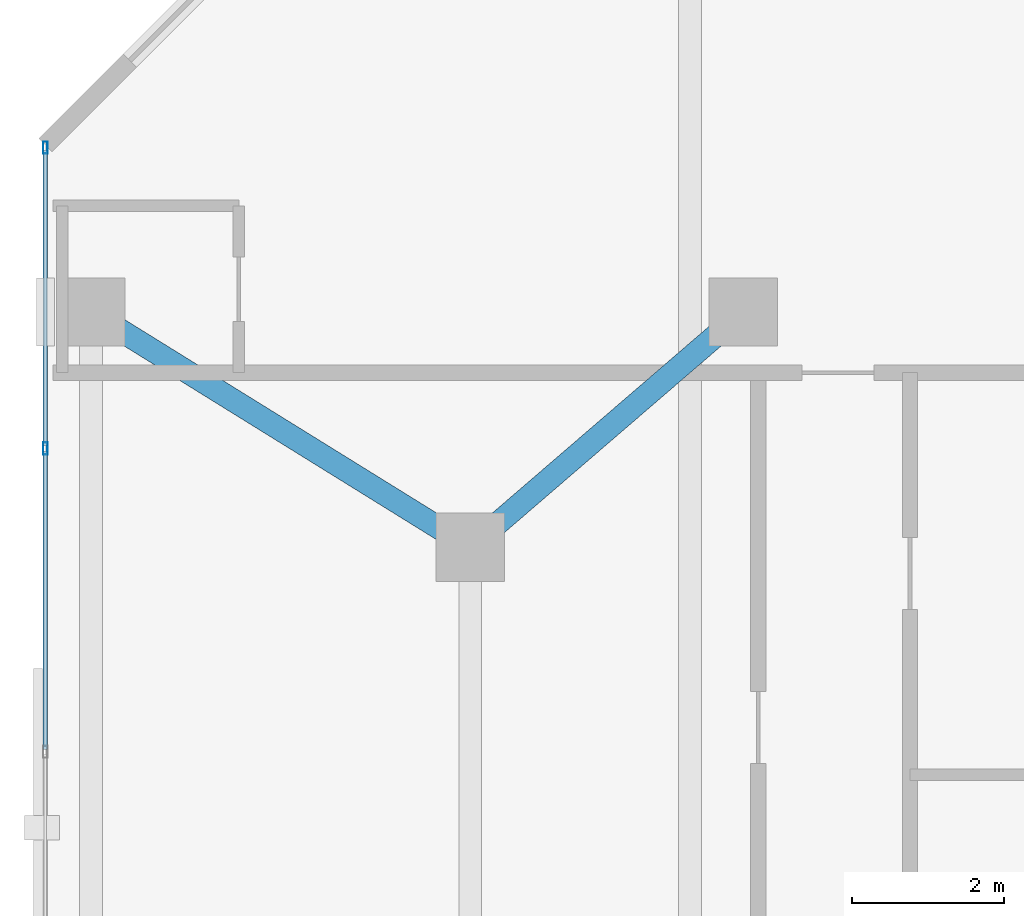
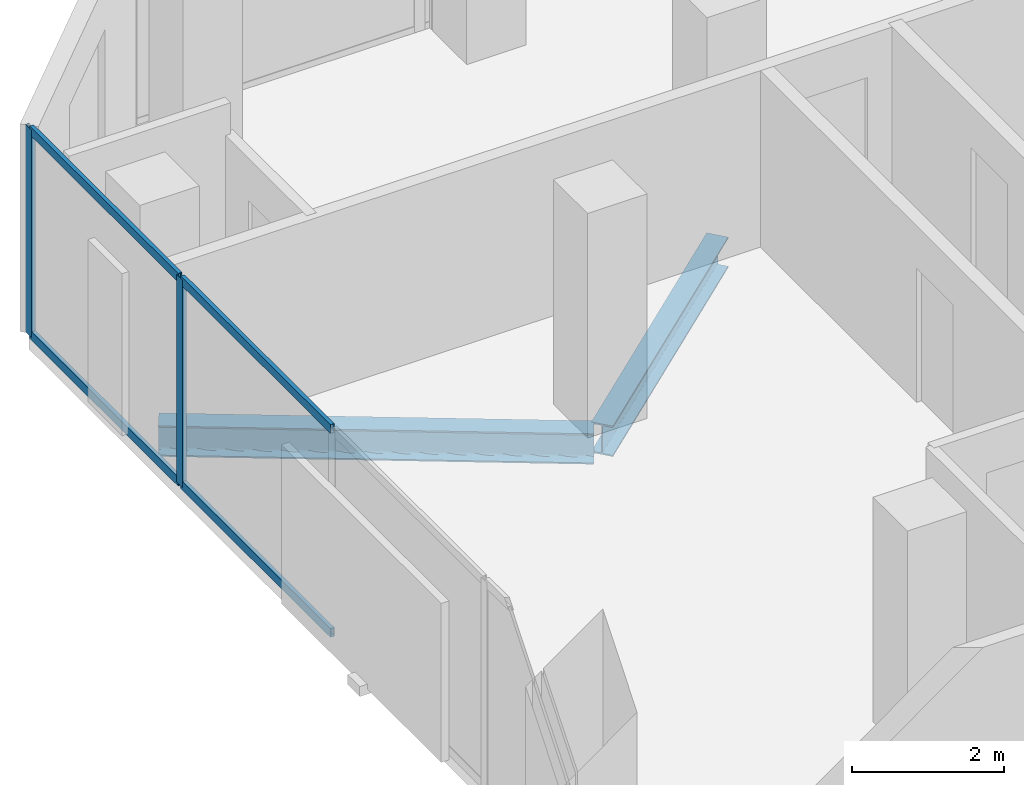
# One storey, part 17 of 35: 6 members, 2 beams, 1 element without a shape of its own.
"""IFC4 building model written with IfcOpenShell, lengths in metres."""

from ifc_helpers import new_model, si_unit, direction, frame, origin, origin_2d, place, context, subcontext, project, spatial, hollow_rectangle, i_section, extrude, material, layer, layer_set, material_profile, profile_set, type_object, element, aggregate, save


model = new_model("IFC4")

# Units and contexts
model_context = context("Model", 3, precision=1e-05, world=origin(), true_north=direction((0.0, 1.0)))
body_context = subcontext(model_context, "Body", "Model", "MODEL_VIEW")
ifc_project = project(units=[si_unit("LENGTHUNIT", "METRE"), si_unit("AREAUNIT", "SQUARE_METRE"), si_unit("VOLUMEUNIT", "CUBIC_METRE"), si_unit("PLANEANGLEUNIT", "RADIAN"), si_unit("MASSUNIT", "GRAM", prefix="KILO")], contexts=[model_context])

# Site, building, storey
site_placement = place(None, origin())
site = spatial("IfcSite", under=ifc_project, at=site_placement, CompositionType="ELEMENT")
building_placement = place(site_placement, origin())
building = spatial("IfcBuilding", under=site, at=building_placement, Name="Catumbela Crestline Tower", CompositionType="ELEMENT")
storey_placement = place(building_placement, frame((0.0, 0.0, 90.0)))
storey = spatial("IfcBuildingStorey", under=building, at=storey_placement, Name="L22", CompositionType="ELEMENT", Elevation=90.0)

# Beams
ifc_material_1 = material(Name="Structural steel S355J2", Category="steel")
ifc_material_profile_1 = material_profile(ifc_material_1, i_section(OverallWidth=0.3, OverallDepth=0.49, WebThickness=0.012, FlangeThickness=0.023, FilletRadius=0.027, at=origin_2d()), Name="HEA 500")
ifc_profile_set_1 = profile_set([ifc_material_profile_1], Name="Structural steel S355J2")
beam_type = type_object("IfcBeamType", Name="BG-HEA500", PredefinedType="BEAM", material=ifc_profile_set_1)
beam_1_placement = place(storey_placement, frame((0.668, 42.2578, -0.505), z_axis=(0.849908952007, -0.526929571479, 0.0), x_axis=(0.526929571479, 0.849908952007, 0.0)))
element("IfcBeam", 1, at=beam_1_placement, inside=storey, type_object=beam_type, Name="L22 Beam BM-L22-N12", PredefinedType="BEAM", context=body_context, shape_type="SweptSolid", body=[
    extrude(i_section(OverallWidth=0.3, OverallDepth=0.49, WebThickness=0.012, FlangeThickness=0.023, FilletRadius=0.027, at=origin_2d()), origin(), (0.0, 0.0, 1.0), 5.723),
])
beam_2_placement = place(storey_placement, frame((5.6606, 39.2522, -0.505), z_axis=(0.757772392559, 0.652518966066, 0.0), x_axis=(-0.652518966066, 0.757772392559, 0.0)))
element("IfcBeam", 2, at=beam_2_placement, inside=storey, type_object=beam_type, Name="L22 Beam BM-L22-N13", PredefinedType="BEAM", context=body_context, shape_type="SweptSolid", body=[
    extrude(i_section(OverallWidth=0.3, OverallDepth=0.49, WebThickness=0.012, FlangeThickness=0.023, FilletRadius=0.027, at=origin_2d()), origin(), (0.0, 0.0, 1.0), 4.5908),
])

# Curtain wall, members
ifc_material_2 = material(Name="Aluminium alloy AW-6060-T66", Category="aluminium")
ifc_layer = layer(ifc_material_2, 0.18, Name="Aluminium alloy AW-6060-T66")
ifc_layer_set = layer_set([ifc_layer], Name="Aluminium alloy AW-6060-T66")
curtain_wall_type = type_object("IfcCurtainWallType", Name="CWU-Z2", PredefinedType="USERDEFINED", material=ifc_layer_set)
curtain_wall_placement = place(storey_placement, origin())
curtain_wall = element("IfcCurtainWall", 3, at=curtain_wall_placement, inside=storey, type_object=curtain_wall_type, Name="L22 Unitised Curtain Wall CW-L22-E9S1", ObjectType="UNITISED", PredefinedType="USERDEFINED")
ifc_material_profile_2 = material_profile(ifc_material_2, hollow_rectangle(XDim=0.06, YDim=0.16, WallThickness=0.004, at=origin_2d()), Name="ALU 160x60x4")
ifc_profile_set_2 = profile_set([ifc_material_profile_2], Name="Aluminium alloy AW-6060-T66")
member_type_1 = type_object("IfcMemberType", Name="MUL-160X60", PredefinedType="MULLION", material=ifc_profile_set_2)
member_1_placement = place(storey_placement, frame((0.0, 44.4675, 0.0), z_axis=(0.0, 0.0, 1.0), x_axis=(1.0, 0.0, 0.0)))
member_1 = element("IfcMember", 4, at=member_1_placement, type_object=member_type_1, Name="CWU-Z2 mullion 1", PredefinedType="MULLION", context=body_context, shape_type="SweptSolid", body=[
    extrude(hollow_rectangle(XDim=0.06, YDim=0.16, WallThickness=0.004, at=origin_2d()), origin(), (0.0, 0.0, 1.0), 3.33),
])
member_2_placement = place(storey_placement, frame((0.0, 40.5, 0.0), z_axis=(0.0, 0.0, 1.0), x_axis=(1.0, 0.0, 0.0)))
member_2 = element("IfcMember", 5, at=member_2_placement, type_object=member_type_1, Name="CWU-Z2 mullion 2", PredefinedType="MULLION", context=body_context, shape_type="SweptSolid", body=[
    extrude(hollow_rectangle(XDim=0.06, YDim=0.16, WallThickness=0.004, at=origin_2d()), origin(), (0.0, 0.0, 1.0), 3.33),
])
ifc_material_profile_3 = material_profile(ifc_material_2, hollow_rectangle(XDim=0.06, YDim=0.14, WallThickness=0.004, at=origin_2d()), Name="ALU 140x60x4")
ifc_profile_set_3 = profile_set([ifc_material_profile_3], Name="Aluminium alloy AW-6060-T66")
member_type_2 = type_object("IfcMemberType", Name="TRN-140X60", PredefinedType="USERDEFINED", material=ifc_profile_set_3)
member_3_placement = place(storey_placement, frame((0.0, 44.435, 0.03), z_axis=(0.0, -1.0, 0.0), x_axis=(1.0, 0.0, 0.0)))
member_3 = element("IfcMember", 6, at=member_3_placement, type_object=member_type_2, Name="CWU-Z2 transom 1.1", ObjectType="TRANSOM", PredefinedType="USERDEFINED", context=body_context, shape_type="SweptSolid", body=[
    extrude(hollow_rectangle(XDim=0.06, YDim=0.14, WallThickness=0.004, at=origin_2d()), origin(), (0.0, 0.0, 1.0), 3.9025),
])
member_4_placement = place(storey_placement, frame((0.0, 44.435, 3.3), z_axis=(0.0, -1.0, 0.0), x_axis=(1.0, 0.0, 0.0)))
member_4 = element("IfcMember", 7, at=member_4_placement, type_object=member_type_2, Name="CWU-Z2 transom 1.2", ObjectType="TRANSOM", PredefinedType="USERDEFINED", context=body_context, shape_type="SweptSolid", body=[
    extrude(hollow_rectangle(XDim=0.06, YDim=0.14, WallThickness=0.004, at=origin_2d()), origin(), (0.0, 0.0, 1.0), 3.9025),
])
member_5_placement = place(storey_placement, frame((0.0, 40.4675, 0.03), z_axis=(0.0, -1.0, 0.0), x_axis=(1.0, 0.0, 0.0)))
member_5 = element("IfcMember", 8, at=member_5_placement, type_object=member_type_2, Name="CWU-Z2 transom 2.1", ObjectType="TRANSOM", PredefinedType="USERDEFINED", context=body_context, shape_type="SweptSolid", body=[
    extrude(hollow_rectangle(XDim=0.06, YDim=0.14, WallThickness=0.004, at=origin_2d()), origin(), (0.0, 0.0, 1.0), 3.935),
])
member_6_placement = place(storey_placement, frame((0.0, 40.4675, 3.3), z_axis=(0.0, -1.0, 0.0), x_axis=(1.0, 0.0, 0.0)))
member_6 = element("IfcMember", 9, at=member_6_placement, type_object=member_type_2, Name="CWU-Z2 transom 2.2", ObjectType="TRANSOM", PredefinedType="USERDEFINED", context=body_context, shape_type="SweptSolid", body=[
    extrude(hollow_rectangle(XDim=0.06, YDim=0.14, WallThickness=0.004, at=origin_2d()), origin(), (0.0, 0.0, 1.0), 3.935),
])
aggregate(curtain_wall, [member_1, member_2, member_3, member_4, member_5, member_6])

save(model, "model.ifc")
